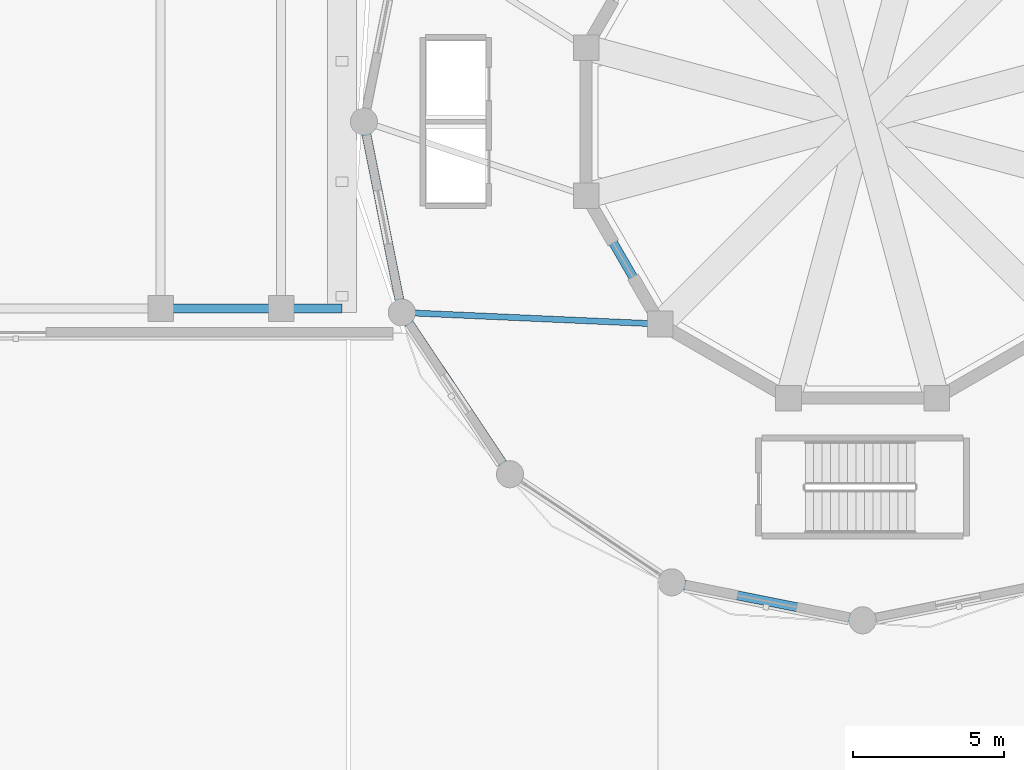
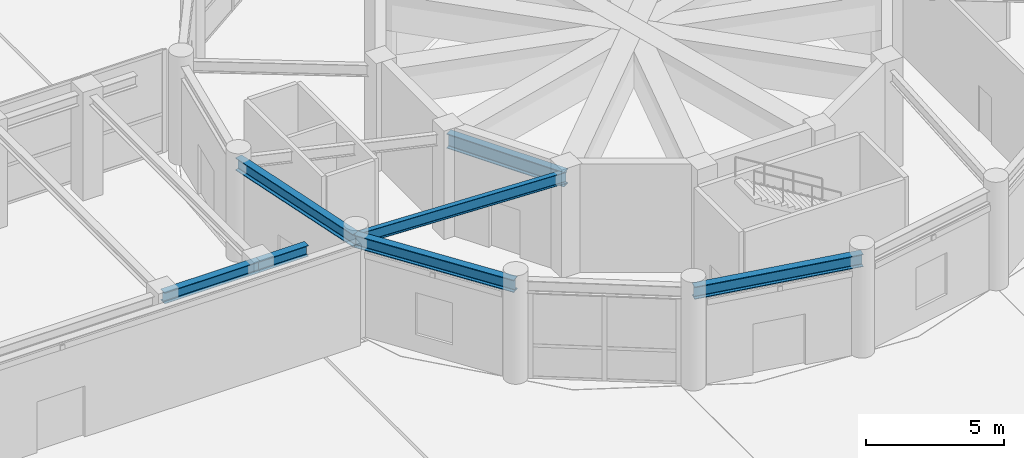
# One storey, part 12 of 40: 7 beams.
"""IFC4 building model written with IfcOpenShell, lengths in metres."""

from ifc_helpers import new_model, si_unit, derived_unit, direction, frame, origin, origin_2d, place, context, subcontext, project, spatial, i_section, extrude, source, transform, mapped, material, material_profile, profile_set, type_object, element, save


model = new_model("IFC4")

# Units and contexts
model_context = context("Model", 3, precision=1e-05, world=origin(), true_north=direction((0.0, 1.0)))
body_context = subcontext(model_context, "Body", "Model", "MODEL_VIEW")
ifc_project = project(units=[si_unit("LENGTHUNIT", "METRE"), si_unit("AREAUNIT", "SQUARE_METRE"), si_unit("VOLUMEUNIT", "CUBIC_METRE"), si_unit("PLANEANGLEUNIT", "RADIAN"), si_unit("MASSUNIT", "GRAM", prefix="KILO"), derived_unit("THERMALTRANSMITTANCEUNIT", [(si_unit("POWERUNIT", "WATT"), 1), (si_unit("LENGTHUNIT", "METRE"), -2), (si_unit("THERMODYNAMICTEMPERATUREUNIT", "KELVIN"), -1)])], contexts=[model_context])

# Site, building, storey
site_placement = place(None, origin())
site = spatial("IfcSite", under=ifc_project, at=site_placement, CompositionType="ELEMENT")
building_placement = place(site_placement, origin())
building = spatial("IfcBuilding", under=site, at=building_placement, Name="Korsvarv Bourse and Concert Hall", CompositionType="ELEMENT")
storey_placement = place(building_placement, origin())
storey = spatial("IfcBuildingStorey", under=building, at=storey_placement, Name="L00", CompositionType="ELEMENT", Elevation=0.0)

# Beams
ifc_material = material(Name="Steel S355", Category="steel")
ifc_material_profile_1 = material_profile(ifc_material, i_section(OverallWidth=0.300048828125, OverallDepth=0.489990234375, WebThickness=0.011962890625, FlangeThickness=0.02294921875, FilletRadius=0.02392578125, at=origin_2d()), Name="HEA 500")
ifc_profile_set_1 = profile_set([ifc_material_profile_1], Name="Steel S355")
beam_type_1 = type_object("IfcBeamType", Name="BM-HEA500", PredefinedType="BEAM", material=ifc_profile_set_1)
shared_shape_1 = source(origin(), body_context, "Body", "SweptSolid", [
    extrude(i_section(OverallWidth=0.300048828125, OverallDepth=0.489990234375, WebThickness=0.011962890625, FlangeThickness=0.02294921875, FilletRadius=0.02392578125, at=origin_2d()), origin(), (0.0, 0.0, 1.0), 4.0),
])
beam_1_placement = place(storey_placement, frame((83.5, 29.800048828125, 4.294921875), z_axis=(1.0, 0.0, 0.0), x_axis=(0.0, 1.0, 0.0)))
element("IfcBeam", 1, at=beam_1_placement, inside=storey, type_object=beam_type_1, Name="L00 beam B-10", PredefinedType="BEAM", context=body_context, shape_type="MappedRepresentation", body=[
    mapped(shared_shape_1, transform((0.0, 0.0, 0.0), scale=1.0)),
])
shared_shape_2 = source(origin(), body_context, "Body", "SweptSolid", [
    extrude(i_section(OverallWidth=0.300048828125, OverallDepth=0.489990234375, WebThickness=0.011962890625, FlangeThickness=0.02294921875, FilletRadius=0.02392578125, at=origin_2d()), origin(), (0.0, 0.0, 1.0), 2.02001953125),
])
beam_2_placement = place(storey_placement, frame((87.5, 29.800048828125, 4.294921875), z_axis=(1.0, 0.0, 0.0), x_axis=(0.0, 1.0, 0.0)))
element("IfcBeam", 2, at=beam_2_placement, inside=storey, type_object=beam_type_1, Name="L00 beam B-10", PredefinedType="BEAM", context=body_context, shape_type="MappedRepresentation", body=[
    mapped(shared_shape_2, transform((0.0, 0.0, 0.0), scale=1.0)),
])
ifc_material_profile_2 = material_profile(ifc_material, i_section(OverallWidth=0.300048828125, OverallDepth=0.550048828125, WebThickness=0.014892578125, FlangeThickness=0.029052734375, FilletRadius=0.02392578125, at=origin_2d()), Name="HEB 550")
ifc_profile_set_2 = profile_set([ifc_material_profile_2], Name="Steel S355")
beam_type_2 = type_object("IfcBeamType", Name="BM-HEB550", PredefinedType="BEAM", material=ifc_profile_set_2)
shared_shape_3 = source(origin(), body_context, "Body", "SweptSolid", [
    extrude(i_section(OverallWidth=0.300048828125, OverallDepth=0.550048828125, WebThickness=0.014892578125, FlangeThickness=0.029052734375, FilletRadius=0.02392578125, at=origin_2d()), origin(), (0.0, 0.0, 1.0), 6.45751953125),
])
for number, where, z_axis, x_axis, name in (
    (3, (90.25, 36.0, 4.10498046875), (0.195083607229, -0.980786616034, 0.0), (0.980786616034, 0.195083607229, 0.0), "L00 beam B-06"),
    (4, (91.509765625, 29.66650390625, 4.10498046875), (0.55558109052, -0.83146235745, 0.0), (0.83146235745, 0.55558109052, 0.0), "L00 beam B-06"),
    (5, (100.466552734375, 20.709716796875, 4.10498046875), (0.980786616034, -0.195083607229, 0.0), (0.195083607229, 0.980786616034, 0.0), "L00 beam B-06"),
):
    element("IfcBeam", number, at=place(storey_placement, frame(where, z_axis=z_axis, x_axis=x_axis)), inside=storey, type_object=beam_type_2, Name=name, PredefinedType="BEAM", context=body_context, shape_type="MappedRepresentation", body=[
        mapped(shared_shape_3, transform((0.0, 0.0, 0.0), scale=1.0)),
    ])
ifc_material_profile_3 = material_profile(ifc_material, i_section(OverallWidth=0.300048828125, OverallDepth=0.64990234375, WebThickness=0.01611328125, FlangeThickness=0.031005859375, FilletRadius=0.027099609375, at=origin_2d()), Name="HEB 650")
ifc_profile_set_3 = profile_set([ifc_material_profile_3], Name="Steel S355")
beam_type_3 = type_object("IfcBeamType", Name="BM-HEB650", PredefinedType="BEAM", material=ifc_profile_set_3)
shared_shape_4 = source(origin(), body_context, "Body", "SweptSolid", [
    extrude(i_section(OverallWidth=0.300048828125, OverallDepth=0.64990234375, WebThickness=0.01611328125, FlangeThickness=0.031005859375, FilletRadius=0.027099609375, at=origin_2d()), origin(), (0.0, 0.0, 1.0), 4.91748046875),
])
beam_3_placement = place(storey_placement, frame((97.623779296875, 33.541259765625, 4.054931640625), z_axis=(0.499988900423, -0.866031812033, 0.0), x_axis=(0.866031812033, 0.499988900423, 0.0)))
element("IfcBeam", 6, at=beam_3_placement, inside=storey, type_object=beam_type_3, Name="L00 beam B-04", PredefinedType="BEAM", context=body_context, shape_type="MappedRepresentation", body=[
    mapped(shared_shape_4, transform((0.0, 0.0, 0.0), scale=1.0)),
])
ifc_material_profile_4 = material_profile(ifc_material, i_section(OverallWidth=0.199951171875, OverallDepth=0.5, WebThickness=0.01025390625, FlangeThickness=0.01611328125, FilletRadius=0.02099609375, at=origin_2d()), Name="IPE 500")
ifc_profile_set_4 = profile_set([ifc_material_profile_4], Name="Steel S355")
beam_type_4 = type_object("IfcBeamType", Name="BM-IPE500", PredefinedType="JOIST", material=ifc_profile_set_4)
shared_shape_5 = source(origin(), body_context, "Body", "SweptSolid", [
    extrude(i_section(OverallWidth=0.199951171875, OverallDepth=0.5, WebThickness=0.01025390625, FlangeThickness=0.01611328125, FilletRadius=0.02099609375, at=origin_2d()), origin(), (0.0, 0.0, 1.0), 8.581298828125),
])
beam_4_placement = place(storey_placement, frame((100.08251953125, 29.282470703125, 4.1298828125), z_axis=(-0.998998124412, 0.044752066119, 0.0), x_axis=(-0.044752066119, -0.998998124412, 0.0)))
element("IfcBeam", 7, at=beam_4_placement, inside=storey, type_object=beam_type_4, Name="L00 beam J-03", PredefinedType="JOIST", context=body_context, shape_type="MappedRepresentation", body=[
    mapped(shared_shape_5, transform((0.0, 0.0, 0.0), scale=1.0)),
])

save(model, "model.ifc")
